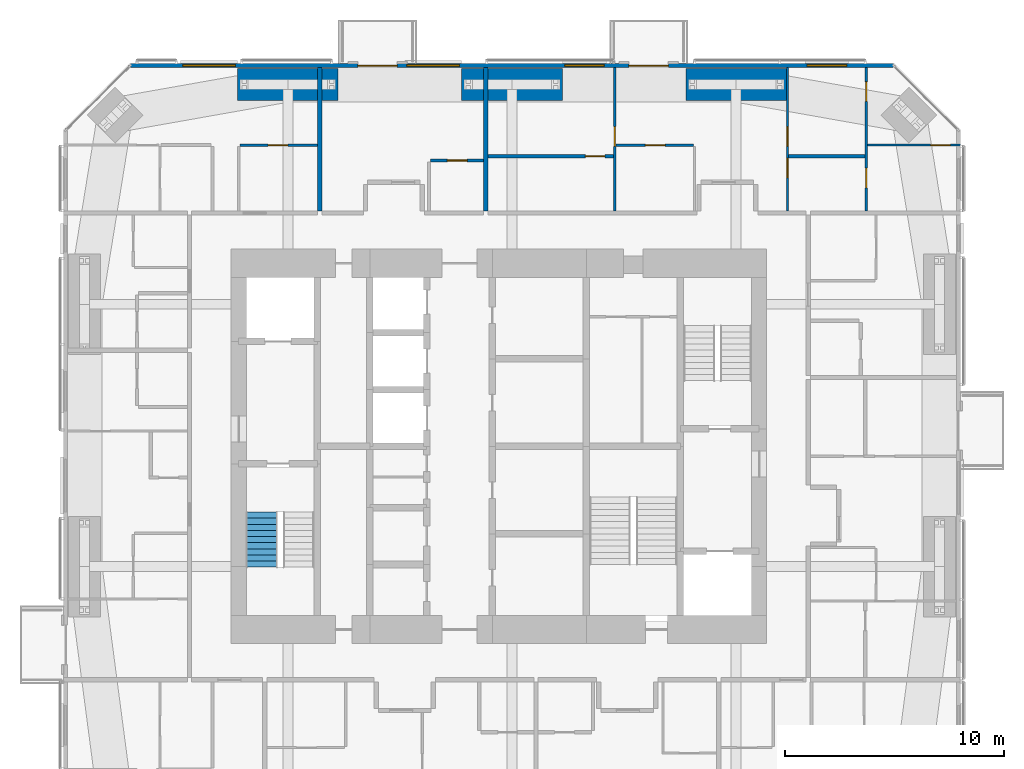
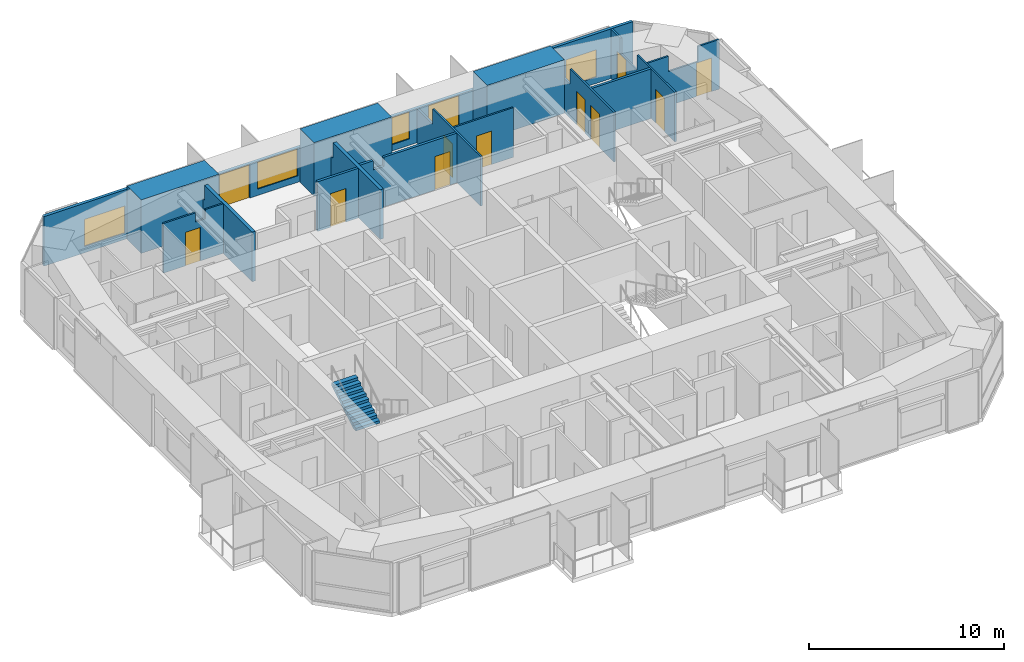
# One storey, part 21 of 23: 15 walls, 12 doors, 4 windows, 1 stair flight, 16 openings, 1 element without a shape of its own.
"""IFC4 building model written with IfcOpenShell, lengths in metres."""

from ifc_helpers import new_model, si_unit, direction, frame, frame_2d, origin, place, context, subcontext, project, spatial, polyline, rectangle, outline, extrude, material, layer, layer_set, constituent, constituent_set, type_object, element, fill, aggregate, save


model = new_model("IFC4")

# Units and contexts
model_context = context("Model", 3, precision=1e-05, world=origin(), true_north=direction((0.0, 1.0)))
body_context = subcontext(model_context, "Body", "Model", "MODEL_VIEW")
ifc_project = project(units=[si_unit("LENGTHUNIT", "METRE"), si_unit("AREAUNIT", "SQUARE_METRE"), si_unit("VOLUMEUNIT", "CUBIC_METRE"), si_unit("PLANEANGLEUNIT", "RADIAN"), si_unit("MASSUNIT", "GRAM", prefix="KILO")], contexts=[model_context])

# Site, building, storey
site_placement = place(None, origin())
site = spatial("IfcSite", under=ifc_project, at=site_placement, CompositionType="ELEMENT")
building_placement = place(site_placement, origin())
building = spatial("IfcBuilding", under=site, at=building_placement, Name="Jalousie Tower", CompositionType="ELEMENT")
storey_placement = place(building_placement, frame((0.0, 0.0, 167.75)))
storey = spatial("IfcBuildingStorey", under=building, at=storey_placement, Name="L45", CompositionType="ELEMENT", Elevation=167.75)

# Wall, opening, door
ifc_material_1 = material(Name="Concrete block ASTM C90", Category="concrete")
ifc_constituent_1 = constituent(ifc_material_1, Name="Body")
ifc_material_2 = material(Name="Render")
ifc_constituent_2 = constituent(ifc_material_2, Name="Finish")
ifc_constituent_set_1 = constituent_set(constituents=[ifc_constituent_1, ifc_constituent_2])
wall_type_1 = type_object("IfcWallType", Name="BATHROOM WALL 150", PredefinedType="PLUMBINGWALL", material=ifc_constituent_set_1)
wall_1_placement = place(storey_placement, frame((28.77490234375, 31.574951171875, 0.0), z_axis=(0.0, 0.0, 1.0), x_axis=(1.0, 0.0, 0.0)))
wall_1 = element("IfcWall", 1, at=wall_1_placement, inside=storey, type_object=wall_type_1, Name="Bathroom Wall 150 L45", PredefinedType="PLUMBINGWALL", context=body_context, shape_type="SweptSolid", body=[
    extrude(rectangle(XDim=2.425048828125, YDim=0.14990234375, at=frame_2d((1.21240234375, 0.0))), origin(), (0.0, 0.0, 1.0), 3.110107421875),
])
opening_1_placement = place(wall_1_placement, frame((0.77490234375, 0.0, 0.0)))
opening_1 = element("IfcOpeningElement", 2, at=opening_1_placement, cuts=wall_1, Name="Opening D3", PredefinedType="OPENING", context=body_context, shape_type="SweptSolid", body=[
    extrude(rectangle(XDim=0.89990234375, YDim=2.10009765625, at=frame_2d((0.449951171875, 1.050048828125))), frame((0.0, 0.0849609375, 0.0), z_axis=(0.0, -1.0, 0.0), x_axis=(1.0, 0.0, 0.0)), (0.0, 0.0, 1.0), 0.169921875),
])
ifc_material_3 = material(Name="Timber door", Category="wood")
door_type_1 = type_object("IfcDoorType", Name="BATHROOM DOOR 900", OperationType="SINGLE_SWING_LEFT", PredefinedType="DOOR", material=ifc_material_3)
door_1_placement = place(opening_1_placement, frame((0.89990234375, 0.0, 0.0), z_axis=(0.0, 0.0, 1.0), x_axis=(-1.0, 0.0, 0.0)))
door_1 = element("IfcDoor", 3, at=door_1_placement, inside=storey, type_object=door_type_1, Name="Apartment 4506 bathroom door", OperationType="SINGLE_SWING_LEFT", OverallHeight=2.10009765625, OverallWidth=0.89990234375, PredefinedType="DOOR", context=body_context, shape_type="SweptSolid", body=[
    extrude(rectangle(XDim=0.89990234375, YDim=2.10009765625, at=frame_2d((0.449951171875, 1.050048828125))), frame((0.0, 0.02490234375, 0.0), z_axis=(0.0, -1.0, 0.0), x_axis=(1.0, 0.0, 0.0)), (0.0, 0.0, 1.0), 0.050048828125),
])
fill(opening_1, door_1)

wall_2_placement = place(storey_placement, frame((31.39990234375, 31.77490234375, 0.0), z_axis=(0.0, 0.0, 1.0), x_axis=(1.0, 0.0, 0.0)))
wall_2 = element("IfcWall", 4, at=wall_2_placement, inside=storey, type_object=wall_type_1, Name="Bathroom Wall 150 L45", PredefinedType="PLUMBINGWALL", context=body_context, shape_type="SweptSolid", body=[
    extrude(outline(polyline([(0.0, 0.0), (5.75, 0.0), (5.75, 3.110107421875), (1.412353515625, 3.110107421875), (1.412353515625, 2.541015625), (0.78759765625, 2.541015625), (0.78759765625, 3.110107421875), (0.0, 3.110107421875), (0.0, 0.0)])), frame((0.0, 0.074951171875, 0.0), z_axis=(0.0, -1.0, 0.0), x_axis=(1.0, 0.0, 0.0)), (0.0, 0.0, 1.0), 0.14990234375),
])
opening_2_placement = place(wall_2_placement, frame((4.449951171875, 0.0, 0.0)))
opening_2 = element("IfcOpeningElement", 5, at=opening_2_placement, cuts=wall_2, Name="Opening D3", PredefinedType="OPENING", context=body_context, shape_type="SweptSolid", body=[
    extrude(rectangle(XDim=0.89990234375, YDim=2.10009765625, at=frame_2d((0.449951171875, 1.050048828125))), frame((0.0, 0.0849609375, 0.0), z_axis=(0.0, -1.0, 0.0), x_axis=(1.0, 0.0, 0.0)), (0.0, 0.0, 1.0), 0.169921875),
])
door_2_placement = place(opening_2_placement, frame((0.89990234375, 0.0, 0.0), z_axis=(0.0, 0.0, 1.0), x_axis=(-1.0, 0.0, 0.0)))
door_2 = element("IfcDoor", 6, at=door_2_placement, inside=storey, type_object=door_type_1, Name="Apartment 4507 bedroom 1 bathroom door", OperationType="SINGLE_SWING_LEFT", OverallHeight=2.10009765625, OverallWidth=0.89990234375, PredefinedType="DOOR", context=body_context, shape_type="SweptSolid", body=[
    extrude(rectangle(XDim=0.89990234375, YDim=2.10009765625, at=frame_2d((0.449951171875, 1.050048828125))), frame((0.0, 0.02490234375, 0.0), z_axis=(0.0, -1.0, 0.0), x_axis=(1.0, 0.0, 0.0)), (0.0, 0.0, 1.0), 0.050048828125),
])
fill(opening_2, door_2)

# Wall
wall_3_placement = place(storey_placement, frame((45.14990234375, 31.77490234375, 0.0), z_axis=(0.0, 0.0, 1.0), x_axis=(1.0, 0.0, 0.0)))
element("IfcWall", 7, at=wall_3_placement, inside=storey, type_object=wall_type_1, Name="Bathroom Wall 150 L45", PredefinedType="PLUMBINGWALL", context=body_context, shape_type="SweptSolid", body=[
    extrude(rectangle(XDim=3.5, YDim=0.14990234375, at=frame_2d((1.75, 0.0))), origin(), (0.0, 0.0, 1.0), 3.110107421875),
])

# Wall, openings, doors, windows
ifc_material_4 = material(Name="Concrete f'c 40 MPa", Category="concrete")
ifc_constituent_3 = constituent(ifc_material_4, Name="Body")
ifc_material_5 = material(Name="Render, pastel lemon")
ifc_constituent_4 = constituent(ifc_material_5, Name="Finish")
ifc_constituent_set_2 = constituent_set(constituents=[ifc_constituent_3, ifc_constituent_4])
wall_type_2 = type_object("IfcWallType", Name="EXTERNAL WALL 175 LEMON RENDER", PredefinedType="SOLIDWALL", material=ifc_constituent_set_2)
wall_4_placement = place(storey_placement, frame((49.94873046875, 35.91259765625, 0.0), z_axis=(0.0, 0.0, 1.0), x_axis=(-1.0, 0.0, 0.0)))
wall_4 = element("IfcWall", 8, at=wall_4_placement, inside=storey, type_object=wall_type_2, Name="External Wall 175 Lemon Render L45", PredefinedType="SOLIDWALL", context=body_context, shape_type="SweptSolid", body=[
    extrude(outline(polyline([(0.0, 0.0), (34.8974609375, 0.0), (34.8974609375, 3.110107421875), (27.91015625, 3.110107421875), (27.91015625, 2.14990234375), (27.8359375, 2.14990234375), (27.8359375, 3.110107421875), (27.69873046875, 3.110107421875), (27.69873046875, 2.14990234375), (7.19873046875, 2.14990234375), (7.19873046875, 3.110107421875), (7.0615234375, 3.110107421875), (7.0615234375, 2.14990234375), (6.9873046875, 2.14990234375), (6.9873046875, 3.110107421875), (0.0, 3.110107421875), (0.0, 0.0)])), frame((0.0, 0.08740234375, 0.0), z_axis=(0.0, -1.0, 0.0), x_axis=(1.0, 0.0, 0.0)), (0.0, 0.0, 1.0), 0.175048828125),
])
opening_3_placement = place(wall_4_placement, frame((2.148681640625, 0.0, 0.39990234375)))
opening_3 = element("IfcOpeningElement", 9, at=opening_3_placement, cuts=wall_4, Name="Opening W-BED170", PredefinedType="OPENING", context=body_context, shape_type="SweptSolid", body=[
    extrude(rectangle(XDim=1.800048828125, YDim=1.699951171875, at=frame_2d((0.89990234375, 0.85009765625))), frame((0.0, 0.097412109375, 0.0), z_axis=(0.0, -1.0, 0.0), x_axis=(1.0, 0.0, 0.0)), (0.0, 0.0, 1.0), 0.195068359375),
])
opening_4_placement = place(wall_4_placement, frame((10.298583984375, 0.0, 0.0)))
opening_4 = element("IfcOpeningElement", 10, at=opening_4_placement, cuts=wall_4, Name="Opening D-BAL21", PredefinedType="OPENING", context=body_context, shape_type="SweptSolid", body=[
    extrude(rectangle(XDim=1.800048828125, YDim=2.10009765625, at=frame_2d((0.89990234375, 1.050048828125))), frame((0.0, 0.097412109375, 0.0), z_axis=(0.0, -1.0, 0.0), x_axis=(1.0, 0.0, 0.0)), (0.0, 0.0, 1.0), 0.195068359375),
])
opening_5_placement = place(wall_4_placement, frame((13.231201171875, 0.0, 0.39990234375)))
opening_5 = element("IfcOpeningElement", 11, at=opening_5_placement, cuts=wall_4, Name="Opening W-BED170", PredefinedType="OPENING", context=body_context, shape_type="SweptSolid", body=[
    extrude(rectangle(XDim=1.800048828125, YDim=1.699951171875, at=frame_2d((0.89990234375, 0.85009765625))), frame((0.0, 0.097412109375, 0.0), z_axis=(0.0, -1.0, 0.0), x_axis=(1.0, 0.0, 0.0)), (0.0, 0.0, 1.0), 0.195068359375),
])
opening_6_placement = place(wall_4_placement, frame((22.69873046875, 0.0, 0.0)))
opening_6 = element("IfcOpeningElement", 12, at=opening_6_placement, cuts=wall_4, Name="Opening D-BAL21", PredefinedType="OPENING", context=body_context, shape_type="SweptSolid", body=[
    extrude(rectangle(XDim=1.800048828125, YDim=2.10009765625, at=frame_2d((0.89990234375, 1.050048828125))), frame((0.0, 0.097412109375, 0.0), z_axis=(0.0, -1.0, 0.0), x_axis=(1.0, 0.0, 0.0)), (0.0, 0.0, 1.0), 0.195068359375),
])
opening_7_placement = place(wall_4_placement, frame((19.85302734375, 0.0, 0.39990234375)))
opening_7 = element("IfcOpeningElement", 13, at=opening_7_placement, cuts=wall_4, Name="Opening W-LIV170", PredefinedType="OPENING", context=body_context, shape_type="SweptSolid", body=[
    extrude(rectangle(XDim=2.39990234375, YDim=1.699951171875, at=frame_2d((1.199951171875, 0.85009765625))), frame((0.0, 0.097412109375, 0.0), z_axis=(0.0, -1.0, 0.0), x_axis=(1.0, 0.0, 0.0)), (0.0, 0.0, 1.0), 0.195068359375),
])
opening_8_placement = place(wall_4_placement, frame((30.104248046875, 0.0, 0.39990234375)))
opening_8 = element("IfcOpeningElement", 14, at=opening_8_placement, cuts=wall_4, Name="Opening W-LIV170", PredefinedType="OPENING", context=body_context, shape_type="SweptSolid", body=[
    extrude(rectangle(XDim=2.39990234375, YDim=1.699951171875, at=frame_2d((1.199951171875, 0.85009765625))), frame((0.0, 0.097412109375, 0.0), z_axis=(0.0, -1.0, 0.0), x_axis=(1.0, 0.0, 0.0)), (0.0, 0.0, 1.0), 0.195068359375),
])
ifc_material_6 = material(Name="Aluminium frame, impact-rated glazing", Category="aluminium")
door_type_2 = type_object("IfcDoorType", Name="BALCONY DOOR 1800x2100", OperationType="SLIDING_TO_LEFT", PredefinedType="DOOR", material=ifc_material_6)
door_3_placement = place(opening_4_placement, origin())
door_3 = element("IfcDoor", 15, at=door_3_placement, inside=storey, type_object=door_type_2, Name="Apartment 4507 living and dining room balcony door", OperationType="SLIDING_TO_LEFT", OverallHeight=2.10009765625, OverallWidth=1.800048828125, PredefinedType="DOOR", context=body_context, shape_type="SweptSolid", body=[
    extrude(rectangle(XDim=1.800048828125, YDim=2.10009765625, at=frame_2d((0.89990234375, 1.050048828125))), frame((0.0, 0.02490234375, 0.0), z_axis=(0.0, -1.0, 0.0), x_axis=(1.0, 0.0, 0.0)), (0.0, 0.0, 1.0), 0.050048828125),
])
fill(opening_4, door_3)
door_4_placement = place(opening_6_placement, origin())
door_4 = element("IfcDoor", 16, at=door_4_placement, inside=storey, type_object=door_type_2, Name="Apartment 4506 studio kitchen, living and sleeping room balcony door", OperationType="SLIDING_TO_LEFT", OverallHeight=2.10009765625, OverallWidth=1.800048828125, PredefinedType="DOOR", context=body_context, shape_type="SweptSolid", body=[
    extrude(rectangle(XDim=1.800048828125, YDim=2.10009765625, at=frame_2d((0.89990234375, 1.050048828125))), frame((0.0, 0.02490234375, 0.0), z_axis=(0.0, -1.0, 0.0), x_axis=(1.0, 0.0, 0.0)), (0.0, 0.0, 1.0), 0.050048828125),
])
fill(opening_6, door_4)
ifc_material_7 = material(Name="Aluminium frame, impact-rated glazing", Category="aluminium")
window_type_1 = type_object("IfcWindowType", Name="WINDOW BED 1800x1700", PartitioningType="SINGLE_PANEL", PredefinedType="WINDOW", material=ifc_material_7)
window_1_placement = place(opening_3_placement, origin())
window_1 = element("IfcWindow", 17, at=window_1_placement, inside=storey, type_object=window_type_1, Name="Apartment 4507 bedroom 2 window", OverallHeight=1.699951171875, OverallWidth=1.800048828125, PartitioningType="SINGLE_PANEL", PredefinedType="WINDOW", context=body_context, shape_type="SweptSolid", body=[
    extrude(rectangle(XDim=1.800048828125, YDim=1.699951171875, at=frame_2d((0.89990234375, 0.85009765625))), frame((0.0, 0.030029296875, 0.0), z_axis=(0.0, -1.0, 0.0), x_axis=(1.0, 0.0, 0.0)), (0.0, 0.0, 1.0), 0.06005859375),
])
fill(opening_3, window_1)
window_2_placement = place(opening_5_placement, origin())
window_2 = element("IfcWindow", 18, at=window_2_placement, inside=storey, type_object=window_type_1, Name="Apartment 4507 bedroom 1 window", OverallHeight=1.699951171875, OverallWidth=1.800048828125, PartitioningType="SINGLE_PANEL", PredefinedType="WINDOW", context=body_context, shape_type="SweptSolid", body=[
    extrude(rectangle(XDim=1.800048828125, YDim=1.699951171875, at=frame_2d((0.89990234375, 0.85009765625))), frame((0.0, 0.030029296875, 0.0), z_axis=(0.0, -1.0, 0.0), x_axis=(1.0, 0.0, 0.0)), (0.0, 0.0, 1.0), 0.06005859375),
])
fill(opening_5, window_2)
ifc_material_8 = material(Name="Aluminium frame, impact-rated glazing", Category="aluminium")
window_type_2 = type_object("IfcWindowType", Name="WINDOW LIV 2400x1700", PartitioningType="DOUBLE_PANEL_VERTICAL", PredefinedType="WINDOW", material=ifc_material_8)
window_3_placement = place(opening_7_placement, origin())
window_3 = element("IfcWindow", 19, at=window_3_placement, inside=storey, type_object=window_type_2, Name="Apartment 4506 studio kitchen, living and sleeping room window", OverallHeight=1.699951171875, OverallWidth=2.39990234375, PartitioningType="SINGLE_PANEL", PredefinedType="WINDOW", context=body_context, shape_type="SweptSolid", body=[
    extrude(rectangle(XDim=2.39990234375, YDim=1.699951171875, at=frame_2d((1.199951171875, 0.85009765625))), frame((0.0, 0.030029296875, 0.0), z_axis=(0.0, -1.0, 0.0), x_axis=(1.0, 0.0, 0.0)), (0.0, 0.0, 1.0), 0.06005859375),
])
fill(opening_7, window_3)
window_4_placement = place(opening_8_placement, origin())
window_4 = element("IfcWindow", 20, at=window_4_placement, inside=storey, type_object=window_type_2, Name="Apartment 4505 living and dining room window", OverallHeight=1.699951171875, OverallWidth=2.39990234375, PartitioningType="SINGLE_PANEL", PredefinedType="WINDOW", context=body_context, shape_type="SweptSolid", body=[
    extrude(rectangle(XDim=2.39990234375, YDim=1.699951171875, at=frame_2d((1.199951171875, 0.85009765625))), frame((0.0, 0.030029296875, 0.0), z_axis=(0.0, -1.0, 0.0), x_axis=(1.0, 0.0, 0.0)), (0.0, 0.0, 1.0), 0.06005859375),
])
fill(opening_8, window_4)

# Wall, opening, door
ifc_material_9 = material(Name="Gypsum board", Category="gypsum")
ifc_constituent_5 = constituent(ifc_material_9, Name="Body")
ifc_material_10 = material(Name="Light-gauge steel studs ASTM A653 SS Grade 33", Category="steel")
ifc_constituent_6 = constituent(ifc_material_10, Name="Framing")
ifc_constituent_set_3 = constituent_set(constituents=[ifc_constituent_5, ifc_constituent_6])
wall_type_3 = type_object("IfcWallType", Name="PARTITION 100", PredefinedType="PARTITIONING", material=ifc_constituent_set_3)
wall_5_placement = place(storey_placement, frame((20.050048828125, 32.27490234375, 0.0), z_axis=(0.0, 0.0, 1.0), x_axis=(1.0, 0.0, 0.0)))
wall_5 = element("IfcWall", 21, at=wall_5_placement, inside=storey, type_object=wall_type_3, Name="Partition 100 L45", PredefinedType="PARTITIONING", context=body_context, shape_type="SweptSolid", body=[
    extrude(outline(polyline([(0.0, 0.0), (3.550048828125, 0.0), (3.550048828125, 3.110107421875), (2.4873046875, 3.110107421875), (2.4873046875, 2.541015625), (1.91259765625, 2.541015625), (1.91259765625, 3.110107421875), (0.0, 3.110107421875), (0.0, 0.0)])), frame((0.0, 0.050048828125, 0.0), z_axis=(0.0, -1.0, 0.0), x_axis=(1.0, 0.0, 0.0)), (0.0, 0.0, 1.0), 0.10009765625),
])
opening_9_placement = place(wall_5_placement, frame((1.300048828125, 0.0, 0.0)))
opening_9 = element("IfcOpeningElement", 22, at=opening_9_placement, cuts=wall_5, Name="Opening D7", PredefinedType="OPENING", context=body_context, shape_type="SweptSolid", body=[
    extrude(rectangle(XDim=0.89990234375, YDim=2.10009765625, at=frame_2d((0.449951171875, 1.050048828125))), frame((0.0, 0.06005859375, 0.0), z_axis=(0.0, -1.0, 0.0), x_axis=(1.0, 0.0, 0.0)), (0.0, 0.0, 1.0), 0.1201171875),
])
ifc_material_11 = material(Name="Timber door", Category="wood")
door_type_3 = type_object("IfcDoorType", Name="INTERNAL DOOR 900", OperationType="SINGLE_SWING_LEFT", PredefinedType="DOOR", material=ifc_material_11)
door_5_placement = place(opening_9_placement, origin())
door_5 = element("IfcDoor", 23, at=door_5_placement, inside=storey, type_object=door_type_3, Name="Apartment 4505 kitchen door", OperationType="SINGLE_SWING_RIGHT", OverallHeight=2.10009765625, OverallWidth=0.89990234375, PredefinedType="DOOR", context=body_context, shape_type="SweptSolid", body=[
    extrude(rectangle(XDim=0.89990234375, YDim=2.10009765625, at=frame_2d((0.449951171875, 1.050048828125))), frame((0.0, 0.02490234375, 0.0), z_axis=(0.0, -1.0, 0.0), x_axis=(1.0, 0.0, 0.0)), (0.0, 0.0, 1.0), 0.050048828125),
])
fill(opening_9, door_5)

wall_6_placement = place(storey_placement, frame((37.199951171875, 35.824951171875, 0.0), z_axis=(0.0, 0.0, 1.0), x_axis=(0.0, -1.0, 0.0)))
wall_6 = element("IfcWall", 24, at=wall_6_placement, inside=storey, type_object=wall_type_3, Name="Partition 100 L45", PredefinedType="PARTITIONING", context=body_context, shape_type="SweptSolid", body=[
    extrude(outline(polyline([(0.0, 0.0), (6.550048828125, 0.0), (6.550048828125, 3.110107421875), (1.635009765625, 3.110107421875), (1.635009765625, 2.14990234375), (0.0, 2.14990234375), (0.0, 3.110107421875), (0.0, 0.0)])), frame((0.0, 0.050048828125, 0.0), z_axis=(0.0, -1.0, 0.0), x_axis=(1.0, 0.0, 0.0)), (0.0, 0.0, 1.0), 0.10009765625),
])
opening_10_placement = place(wall_6_placement, frame((2.699951171875, 0.0, 0.0)))
opening_10 = element("IfcOpeningElement", 25, at=opening_10_placement, cuts=wall_6, Name="Opening D2", PredefinedType="OPENING", context=body_context, shape_type="SweptSolid", body=[
    extrude(rectangle(XDim=0.89990234375, YDim=2.10009765625, at=frame_2d((0.449951171875, 1.050048828125))), frame((0.0, 0.06005859375, 0.0), z_axis=(0.0, -1.0, 0.0), x_axis=(1.0, 0.0, 0.0)), (0.0, 0.0, 1.0), 0.1201171875),
])
ifc_material_12 = material(Name="Timber door", Category="wood")
door_type_4 = type_object("IfcDoorType", Name="BEDROOM DOOR 900", OperationType="SINGLE_SWING_LEFT", PredefinedType="DOOR", material=ifc_material_12)
door_6_placement = place(opening_10_placement, frame((0.89990234375, 0.0, 0.0), z_axis=(0.0, 0.0, 1.0), x_axis=(-1.0, 0.0, 0.0)))
door_6 = element("IfcDoor", 26, at=door_6_placement, inside=storey, type_object=door_type_4, Name="Apartment 4507 bedroom 1 door", OperationType="SINGLE_SWING_LEFT", OverallHeight=2.10009765625, OverallWidth=0.89990234375, PredefinedType="DOOR", context=body_context, shape_type="SweptSolid", body=[
    extrude(rectangle(XDim=0.89990234375, YDim=2.10009765625, at=frame_2d((0.449951171875, 1.050048828125))), frame((0.0, 0.02490234375, 0.0), z_axis=(0.0, -1.0, 0.0), x_axis=(1.0, 0.0, 0.0)), (0.0, 0.0, 1.0), 0.050048828125),
])
fill(opening_10, door_6)

# Wall, openings, doors
wall_7_placement = place(storey_placement, frame((45.10009765625, 35.824951171875, 0.0), z_axis=(0.0, 0.0, 1.0), x_axis=(0.0, -1.0, 0.0)))
wall_7 = element("IfcWall", 27, at=wall_7_placement, inside=storey, type_object=wall_type_3, Name="Partition 100 L45", PredefinedType="PARTITIONING", context=body_context, shape_type="SweptSolid", body=[
    extrude(outline(polyline([(0.0, 0.0), (6.550048828125, 0.0), (6.550048828125, 3.110107421875), (2.064208984375, 3.110107421875), (2.064208984375, 2.14990234375), (0.317626953125, 2.14990234375), (0.317626953125, 3.110107421875), (0.0, 3.110107421875), (0.0, 0.0)])), frame((0.0, 0.050048828125, 0.0), z_axis=(0.0, -1.0, 0.0), x_axis=(1.0, 0.0, 0.0)), (0.0, 0.0, 1.0), 0.10009765625),
])
opening_11_placement = place(wall_7_placement, frame((2.699951171875, 0.0, 0.0)))
opening_11 = element("IfcOpeningElement", 28, at=opening_11_placement, cuts=wall_7, Name="Opening D2", PredefinedType="OPENING", context=body_context, shape_type="SweptSolid", body=[
    extrude(rectangle(XDim=0.89990234375, YDim=2.10009765625, at=frame_2d((0.449951171875, 1.050048828125))), frame((0.0, 0.06005859375, 0.0), z_axis=(0.0, -1.0, 0.0), x_axis=(1.0, 0.0, 0.0)), (0.0, 0.0, 1.0), 0.1201171875),
])
opening_12_placement = place(wall_7_placement, frame((4.14990234375, 0.0, 0.0)))
opening_12 = element("IfcOpeningElement", 29, at=opening_12_placement, cuts=wall_7, Name="Opening D7", PredefinedType="OPENING", context=body_context, shape_type="SweptSolid", body=[
    extrude(rectangle(XDim=0.89990234375, YDim=2.10009765625, at=frame_2d((0.449951171875, 1.050048828125))), frame((0.0, 0.06005859375, 0.0), z_axis=(0.0, -1.0, 0.0), x_axis=(1.0, 0.0, 0.0)), (0.0, 0.0, 1.0), 0.1201171875),
])
door_7_placement = place(opening_11_placement, origin())
door_7 = element("IfcDoor", 30, at=door_7_placement, inside=storey, type_object=door_type_4, Name="Apartment 4507 bedroom 2 door", OperationType="SINGLE_SWING_RIGHT", OverallHeight=2.10009765625, OverallWidth=0.89990234375, PredefinedType="DOOR", context=body_context, shape_type="SweptSolid", body=[
    extrude(rectangle(XDim=0.89990234375, YDim=2.10009765625, at=frame_2d((0.449951171875, 1.050048828125))), frame((0.0, 0.02490234375, 0.0), z_axis=(0.0, -1.0, 0.0), x_axis=(1.0, 0.0, 0.0)), (0.0, 0.0, 1.0), 0.050048828125),
])
fill(opening_11, door_7)
door_8_placement = place(opening_12_placement, origin())
door_8 = element("IfcDoor", 31, at=door_8_placement, inside=storey, type_object=door_type_3, Name="Apartment 4507 bathroom door", OperationType="SINGLE_SWING_LEFT", OverallHeight=2.10009765625, OverallWidth=0.89990234375, PredefinedType="DOOR", context=body_context, shape_type="SweptSolid", body=[
    extrude(rectangle(XDim=0.89990234375, YDim=2.10009765625, at=frame_2d((0.449951171875, 1.050048828125))), frame((0.0, 0.02490234375, 0.0), z_axis=(0.0, -1.0, 0.0), x_axis=(1.0, 0.0, 0.0)), (0.0, 0.0, 1.0), 0.050048828125),
])
fill(opening_12, door_8)

wall_8_placement = place(storey_placement, frame((48.699951171875, 35.824951171875, 0.0), z_axis=(0.0, 0.0, 1.0), x_axis=(0.0, -1.0, 0.0)))
wall_8 = element("IfcWall", 32, at=wall_8_placement, inside=storey, type_object=wall_type_3, Name="Partition 100 L45", PredefinedType="PARTITIONING", context=body_context, shape_type="SweptSolid", body=[
    extrude(outline(polyline([(0.0, 0.0), (6.550048828125, 0.0), (6.550048828125, 3.110107421875), (2.701416015625, 3.110107421875), (2.701416015625, 2.14990234375), (0.95458984375, 2.14990234375), (0.95458984375, 3.110107421875), (0.0, 3.110107421875), (0.0, 0.0)])), frame((0.0, 0.050048828125, 0.0), z_axis=(0.0, -1.0, 0.0), x_axis=(1.0, 0.0, 0.0)), (0.0, 0.0, 1.0), 0.10009765625),
])
opening_13_placement = place(wall_8_placement, frame((0.64990234375, 0.0, 0.0)))
opening_13 = element("IfcOpeningElement", 33, at=opening_13_placement, cuts=wall_8, Name="Opening D2", PredefinedType="OPENING", context=body_context, shape_type="SweptSolid", body=[
    extrude(rectangle(XDim=0.89990234375, YDim=2.10009765625, at=frame_2d((0.449951171875, 1.050048828125))), frame((0.0, 0.06005859375, 0.0), z_axis=(0.0, -1.0, 0.0), x_axis=(1.0, 0.0, 0.0)), (0.0, 0.0, 1.0), 0.1201171875),
])
opening_14_placement = place(wall_8_placement, frame((4.59814453125, 0.0, 0.0)))
opening_14 = element("IfcOpeningElement", 34, at=opening_14_placement, cuts=wall_8, Name="Opening D3", PredefinedType="OPENING", context=body_context, shape_type="SweptSolid", body=[
    extrude(rectangle(XDim=0.89990234375, YDim=2.10009765625, at=frame_2d((0.449951171875, 1.050048828125))), frame((0.0, 0.06005859375, 0.0), z_axis=(0.0, -1.0, 0.0), x_axis=(1.0, 0.0, 0.0)), (0.0, 0.0, 1.0), 0.1201171875),
])
door_9_placement = place(opening_14_placement, frame((0.89990234375, 0.0, 0.0), z_axis=(0.0, 0.0, 1.0), x_axis=(-1.0, 0.0, 0.0)))
door_9 = element("IfcDoor", 35, at=door_9_placement, inside=storey, type_object=door_type_1, Name="Apartment 4507 bedroom 3 bathroom door", OperationType="SINGLE_SWING_RIGHT", OverallHeight=2.10009765625, OverallWidth=0.89990234375, PredefinedType="DOOR", context=body_context, shape_type="SweptSolid", body=[
    extrude(rectangle(XDim=0.89990234375, YDim=2.10009765625, at=frame_2d((0.449951171875, 1.050048828125))), frame((0.0, 0.02490234375, 0.0), z_axis=(0.0, -1.0, 0.0), x_axis=(1.0, 0.0, 0.0)), (0.0, 0.0, 1.0), 0.050048828125),
])
fill(opening_14, door_9)
door_10_placement = place(opening_13_placement, frame((0.89990234375, 0.0, 0.0), z_axis=(0.0, 0.0, 1.0), x_axis=(-1.0, 0.0, 0.0)))
door_10 = element("IfcDoor", 36, at=door_10_placement, inside=storey, type_object=door_type_4, Name="Apartment 4507 bedroom 3 door", OperationType="SINGLE_SWING_RIGHT", OverallHeight=2.10009765625, OverallWidth=0.89990234375, PredefinedType="DOOR", context=body_context, shape_type="SweptSolid", body=[
    extrude(rectangle(XDim=0.89990234375, YDim=2.10009765625, at=frame_2d((0.449951171875, 1.050048828125))), frame((0.0, 0.02490234375, 0.0), z_axis=(0.0, -1.0, 0.0), x_axis=(1.0, 0.0, 0.0)), (0.0, 0.0, 1.0), 0.050048828125),
])
fill(opening_13, door_10)

# Wall, opening, door
wall_9_placement = place(storey_placement, frame((48.75, 32.27880859375, 0.0), z_axis=(0.0, 0.0, 1.0), x_axis=(1.0, 0.0, 0.0)))
wall_9 = element("IfcWall", 37, at=wall_9_placement, inside=storey, type_object=wall_type_3, Name="Partition 100 L45", PredefinedType="PARTITIONING", context=body_context, shape_type="SweptSolid", body=[
    extrude(outline(polyline([(0.0, 0.0), (4.25, 0.0), (4.25, 3.110107421875), (2.99462890625, 3.110107421875), (2.99462890625, 2.14990234375), (1.252197265625, 2.14990234375), (1.252197265625, 3.110107421875), (0.0, 3.110107421875), (0.0, 0.0)])), frame((0.0, 0.050048828125, 0.0), z_axis=(0.0, -1.0, 0.0), x_axis=(1.0, 0.0, 0.0)), (0.0, 0.0, 1.0), 0.10009765625),
])
opening_15_placement = place(wall_9_placement, frame((2.89990234375, 0.0, 0.0)))
opening_15 = element("IfcOpeningElement", 38, at=opening_15_placement, cuts=wall_9, Name="Opening D7", PredefinedType="OPENING", context=body_context, shape_type="SweptSolid", body=[
    extrude(rectangle(XDim=0.89990234375, YDim=2.10009765625, at=frame_2d((0.449951171875, 1.050048828125))), frame((0.0, 0.06005859375, 0.0), z_axis=(0.0, -1.0, 0.0), x_axis=(1.0, 0.0, 0.0)), (0.0, 0.0, 1.0), 0.1201171875),
])
door_11_placement = place(opening_15_placement, frame((0.89990234375, 0.0, 0.0), z_axis=(0.0, 0.0, 1.0), x_axis=(-1.0, 0.0, 0.0)))
door_11 = element("IfcDoor", 39, at=door_11_placement, inside=storey, type_object=door_type_3, Name="Apartment 4507 bedroom 3 dressing hall door", OperationType="SINGLE_SWING_LEFT", OverallHeight=2.10009765625, OverallWidth=0.89990234375, PredefinedType="DOOR", context=body_context, shape_type="SweptSolid", body=[
    extrude(rectangle(XDim=0.89990234375, YDim=2.10009765625, at=frame_2d((0.449951171875, 1.050048828125))), frame((0.0, 0.02490234375, 0.0), z_axis=(0.0, -1.0, 0.0), x_axis=(1.0, 0.0, 0.0)), (0.0, 0.0, 1.0), 0.050048828125),
])
fill(opening_15, door_11)

wall_10_placement = place(storey_placement, frame((37.25, 32.27490234375, 0.0), z_axis=(0.0, 0.0, 1.0), x_axis=(1.0, 0.0, 0.0)))
wall_10 = element("IfcWall", 40, at=wall_10_placement, inside=storey, type_object=wall_type_3, Name="Partition 100 L45", PredefinedType="PARTITIONING", context=body_context, shape_type="SweptSolid", body=[
    extrude(rectangle(XDim=3.550048828125, YDim=0.10009765625, at=frame_2d((1.77490234375, 0.0))), origin(), (0.0, 0.0, 1.0), 3.110107421875),
])
opening_16_placement = place(wall_10_placement, frame((1.35009765625, 0.0, 0.0)))
opening_16 = element("IfcOpeningElement", 41, at=opening_16_placement, cuts=wall_10, Name="Opening D7", PredefinedType="OPENING", context=body_context, shape_type="SweptSolid", body=[
    extrude(rectangle(XDim=0.89990234375, YDim=2.10009765625, at=frame_2d((0.449951171875, 1.050048828125))), frame((0.0, 0.06005859375, 0.0), z_axis=(0.0, -1.0, 0.0), x_axis=(1.0, 0.0, 0.0)), (0.0, 0.0, 1.0), 0.1201171875),
])
door_12_placement = place(opening_16_placement, origin())
door_12 = element("IfcDoor", 42, at=door_12_placement, inside=storey, type_object=door_type_3, Name="Apartment 4507 kitchen door", OperationType="SINGLE_SWING_LEFT", OverallHeight=2.10009765625, OverallWidth=0.89990234375, PredefinedType="DOOR", context=body_context, shape_type="SweptSolid", body=[
    extrude(rectangle(XDim=0.89990234375, YDim=2.10009765625, at=frame_2d((0.449951171875, 1.050048828125))), frame((0.0, 0.02490234375, 0.0), z_axis=(0.0, -1.0, 0.0), x_axis=(1.0, 0.0, 0.0)), (0.0, 0.0, 1.0), 0.050048828125),
])
fill(opening_16, door_12)

# Walls
ifc_material_13 = material(Name="Concrete block ASTM C90", Category="concrete")
ifc_constituent_7 = constituent(ifc_material_13, Name="Body")
ifc_material_14 = material(Name="Render")
ifc_constituent_8 = constituent(ifc_material_14, Name="Finish")
ifc_constituent_set_4 = constituent_set(constituents=[ifc_constituent_7, ifc_constituent_8])
wall_type_4 = type_object("IfcWallType", Name="PARTY WALL 200", PredefinedType="PARTITIONING", material=ifc_constituent_set_4)
wall_11_placement = place(storey_placement, frame((23.699951171875, 35.824951171875, 0.0), z_axis=(0.0, 0.0, 1.0), x_axis=(0.0, -1.0, 0.0)))
element("IfcWall", 43, at=wall_11_placement, inside=storey, type_object=wall_type_4, Name="Party Wall 200 L45", PredefinedType="PARTITIONING", context=body_context, shape_type="SweptSolid", body=[
    extrude(outline(polyline([(0.52880859375, 2.14990234375), (0.0, 2.14990234375), (0.0, 0.0), (0.52880859375, 0.0), (0.52880859375, 0.33203125), (1.021240234375, 0.33203125), (1.021240234375, 0.0), (6.550048828125, 0.0), (6.550048828125, 3.110107421875), (1.68505859375, 3.110107421875), (1.68505859375, 2.14990234375), (1.021240234375, 2.14990234375), (1.021240234375, 1.81787109375), (0.52880859375, 1.81787109375), (0.52880859375, 2.14990234375)])), frame((0.0, 0.10009765625, 0.0), z_axis=(0.0, -1.0, 0.0), x_axis=(1.0, 0.0, 0.0)), (0.0, 0.0, 1.0), 0.199951171875),
])
wall_12_placement = place(storey_placement, frame((31.300048828125, 35.824951171875, 0.0), z_axis=(0.0, 0.0, 1.0), x_axis=(0.0, -1.0, 0.0)))
element("IfcWall", 44, at=wall_12_placement, inside=storey, type_object=wall_type_4, Name="Party Wall 200 L45", PredefinedType="PARTITIONING", context=body_context, shape_type="SweptSolid", body=[
    extrude(outline(polyline([(0.52880859375, 2.14990234375), (0.0, 2.14990234375), (0.0, 0.0), (0.52880859375, 0.0), (0.52880859375, 0.54150390625), (1.021240234375, 0.54150390625), (1.021240234375, 0.0), (6.550048828125, 0.0), (6.550048828125, 3.110107421875), (1.68505859375, 3.110107421875), (1.68505859375, 2.14990234375), (1.021240234375, 2.14990234375), (1.021240234375, 1.608642578125), (0.52880859375, 1.608642578125), (0.52880859375, 2.14990234375)])), frame((0.0, 0.10009765625, 0.0), z_axis=(0.0, -1.0, 0.0), x_axis=(1.0, 0.0, 0.0)), (0.0, 0.0, 1.0), 0.199951171875),
])
ifc_material_15 = material(Name="Concrete f'c 120 MPa", Category="concrete")
ifc_layer = layer(ifc_material_15, 1.449951171875)
ifc_layer_set = layer_set([ifc_layer], Name="Concrete f'c 120 MPa")
wall_type_5 = type_object("IfcWallType", Name="RC WALL PIER 1450", PredefinedType="SHEAR", material=ifc_layer_set)
for number, where, z_axis, x_axis, name in (
    (45, (40.449951171875, 35.050048828125, 0.0), (0.0, 0.0, 1.0), (1.0, 0.0, 0.0), "Wall pier 09 L45"),
    (46, (30.199951171875, 35.050048828125, 0.0), (0.0, 0.0, 1.0), (1.0, 0.0, 0.0), "Wall pier 10 L45"),
    (47, (19.949951171875, 35.050048828125, 0.0), (0.0, 0.0, 1.0), (1.0, 0.0, 0.0), "Wall pier 11 L45"),
):
    element("IfcWall", number, at=place(storey_placement, frame(where, z_axis=z_axis, x_axis=x_axis)), inside=storey, type_object=wall_type_5, Name=name, PredefinedType="SHEAR", context=body_context, shape_type="SweptSolid", body=[
        extrude(rectangle(XDim=4.60009765625, YDim=1.449951171875, at=frame_2d((2.300048828125, 0.0))), origin(), (0.0, 0.0, 1.0), 3.35009765625),
    ])

# Stair, stair flight
ifc_material_16 = material(Name="Concrete f'c 40 MPa", Category="concrete")
stair_type = type_object("IfcStairType", Name="EXIT STAIR", PredefinedType="HALF_TURN_STAIR", material=ifc_material_16)
stair_placement = place(storey_placement, origin())
stair = element("IfcStair", 48, at=stair_placement, inside=storey, type_object=stair_type, Name="Exit stair A L45", PredefinedType="HALF_TURN_STAIR")
ifc_material_17 = material(Name="Concrete f'c 40 MPa", Category="concrete")
stair_flight_type = type_object("IfcStairFlightType", Name="STAIR FLIGHT", PredefinedType="STRAIGHT", material=ifc_material_17)
stair_flight_placement = place(storey_placement, frame((21.0625, 12.9775390625, 1.675048828125), z_axis=(0.0, 0.0, 1.0), x_axis=(0.0, 1.0, 0.0)))
stair_flight = element("IfcStairFlight", 49, at=stair_flight_placement, type_object=stair_flight_type, Name="ST-A flight 2", NumberOfRisers=10, NumberOfTreads=9, PredefinedType="STRAIGHT", RiserHeight=0.1675, TreadLength=0.28, context=body_context, shape_type="SweptSolid", body=[
    extrude(outline(polyline([(0.0, 0.0), (0.0, 0.16748046875), (0.280029296875, 0.16748046875), (0.280029296875, 0.3349609375), (0.56005859375, 0.3349609375), (0.56005859375, 0.50244140625), (0.840087890625, 0.50244140625), (0.840087890625, 0.669921875), (1.1201171875, 0.669921875), (1.1201171875, 0.83740234375), (1.39990234375, 0.83740234375), (1.39990234375, 1.0048828125), (1.679931640625, 1.0048828125), (1.679931640625, 1.172607421875), (1.9599609375, 1.172607421875), (1.9599609375, 1.340087890625), (2.239990234375, 1.340087890625), (2.239990234375, 1.507568359375), (2.52001953125, 1.507568359375), (2.52001953125, 1.675048828125), (2.52001953125, 1.332763671875), (0.2919921875, 0.0), (0.0, 0.0)])), frame((0.0, 0.71240234375, 0.0), z_axis=(0.0, -1.0, 0.0), x_axis=(1.0, 0.0, 0.0)), (0.0, 0.0, 1.0), 1.425048828125),
])
aggregate(stair, [stair_flight])

save(model, "model.ifc")
